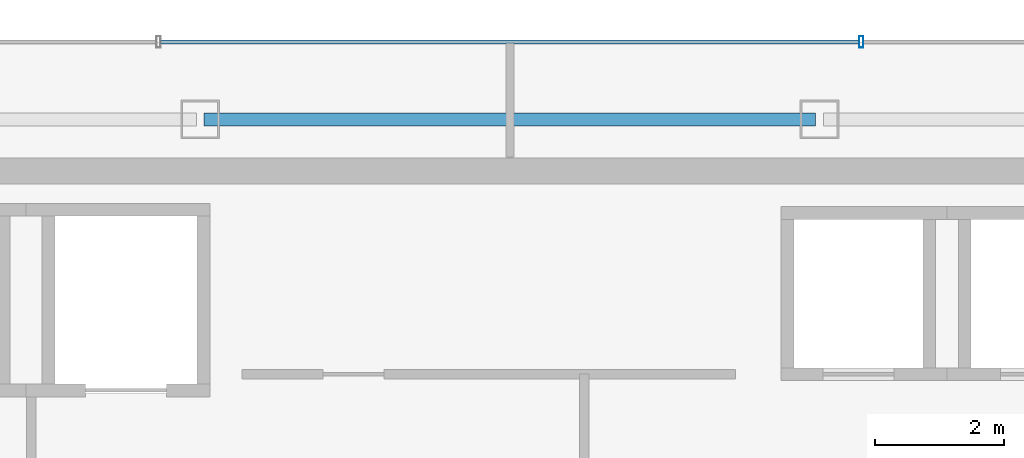
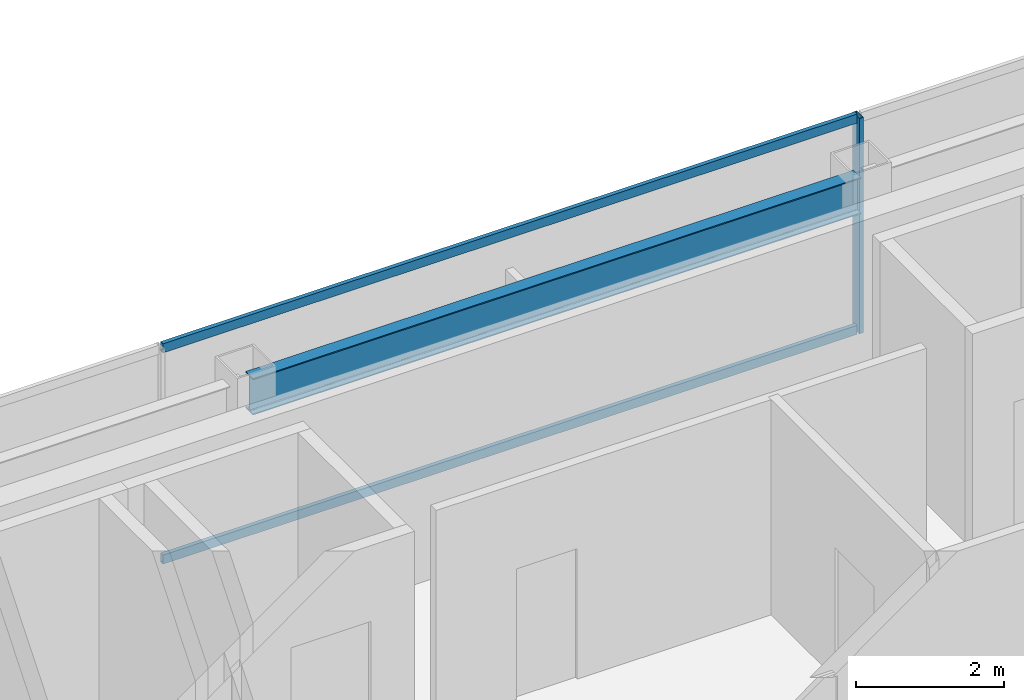
# One storey, part 22 of 32: 3 members, 1 beam, 1 element without a shape of its own.
"""IFC4 building model written with IfcOpenShell, lengths in metres."""

from ifc_helpers import new_model, si_unit, direction, frame, origin, origin_2d, place, context, subcontext, project, spatial, hollow_rectangle, i_section, extrude, material, material_profile, profile_set, type_object, element, aggregate, save


model = new_model("IFC4")

# Units and contexts
model_context = context("Model", 3, precision=1e-05, world=origin(), true_north=direction((0.0, 1.0)))
body_context = subcontext(model_context, "Body", "Model", "MODEL_VIEW")
ifc_project = project(units=[si_unit("LENGTHUNIT", "METRE"), si_unit("AREAUNIT", "SQUARE_METRE"), si_unit("VOLUMEUNIT", "CUBIC_METRE"), si_unit("PLANEANGLEUNIT", "RADIAN"), si_unit("MASSUNIT", "GRAM", prefix="KILO")], contexts=[model_context])

# Site, building, storey
site_placement = place(None, origin())
site = spatial("IfcSite", under=ifc_project, at=site_placement, CompositionType="ELEMENT")
building_placement = place(site_placement, origin())
building = spatial("IfcBuilding", under=site, at=building_placement, Name="Saevonmaru Cultural Tower", CompositionType="ELEMENT")
storey_placement = place(building_placement, frame((0.0, 0.0, 264.800048828125)))
storey = spatial("IfcBuildingStorey", under=building, at=storey_placement, Name="L62", CompositionType="ELEMENT", Elevation=264.800048828125)

# Beam
ifc_material_1 = material(Name="Steel SM355", Category="steel")
ifc_material_profile_1 = material_profile(ifc_material_1, i_section(OverallWidth=0.199951171875, OverallDepth=0.60009765625, WebThickness=0.010986328125, FlangeThickness=0.01708984375, FilletRadius=0.02197265625, at=origin_2d()), Name="H-600x200x11x17")
ifc_profile_set_1 = profile_set([ifc_material_profile_1], Name="Steel SM355")
beam_type = type_object("IfcBeamType", Name="BM-SP-H600", PredefinedType="SPANDREL", material=ifc_profile_set_1)
beam_placement = place(storey_placement, frame((25.260009765625, 54.800048828125, 3.25), z_axis=(1.0, 0.0, 0.0), x_axis=(0.0, 1.0, 0.0)))
element("IfcBeam", 1, at=beam_placement, inside=storey, type_object=beam_type, Name="L62 North Spine Girder 3", PredefinedType="SPANDREL", context=body_context, shape_type="SweptSolid", body=[
    extrude(i_section(OverallWidth=0.199951171875, OverallDepth=0.60009765625, WebThickness=0.010986328125, FlangeThickness=0.01708984375, FilletRadius=0.02197265625, at=origin_2d()), origin(), (0.0, 0.0, 1.0), 9.47998046875),
])

# Curtain wall, members
ifc_material_2 = material(Name="Satin Bronze Anodised Aluminium", Category="aluminium")
curtain_wall_type = type_object("IfcCurtainWallType", Name="CW-TYP-B", PredefinedType="NOTDEFINED", material=ifc_material_2)
curtain_wall_placement = place(storey_placement, origin())
curtain_wall = element("IfcCurtainWall", 2, at=curtain_wall_placement, inside=storey, type_object=curtain_wall_type, Name="L62 North Spine Unitised Curtain Wall E10B", PredefinedType="NOTDEFINED")
ifc_material_profile_2 = material_profile(ifc_material_2, hollow_rectangle(XDim=0.06494140625, YDim=0.179931640625, WallThickness=0.00390625, at=origin_2d()), Name="ALU-MULL-180x65x4")
ifc_profile_set_2 = profile_set([ifc_material_profile_2], Name="Satin Bronze Anodised Aluminium")
member_type_1 = type_object("IfcMemberType", Name="ML-CW-180x65", PredefinedType="MULLION", material=ifc_profile_set_2)
member_1_placement = place(storey_placement, frame((35.44677734375, 56.0, 0.0), z_axis=(0.0, 0.0, 1.0), x_axis=(-1.0, 0.0, 0.0)))
member_1 = element("IfcMember", 3, at=member_1_placement, type_object=member_type_1, Name="CW-TW-L62-E10B mullion 2", PredefinedType="MULLION", context=body_context, shape_type="SweptSolid", body=[
    extrude(hollow_rectangle(XDim=0.06494140625, YDim=0.179931640625, WallThickness=0.00390625, at=origin_2d()), origin(), (0.0, 0.0, 1.0), 3.550048828125),
])
ifc_material_profile_3 = material_profile(ifc_material_2, hollow_rectangle(XDim=0.06494140625, YDim=0.14990234375, WallThickness=0.00390625, at=origin_2d()), Name="ALU-TRAN-150x65x4")
ifc_profile_set_3 = profile_set([ifc_material_profile_3], Name="Satin Bronze Anodised Aluminium")
member_type_2 = type_object("IfcMemberType", Name="TR-CW-150x65", PredefinedType="USERDEFINED", material=ifc_profile_set_3)
member_2_placement = place(storey_placement, frame((35.4140625, 56.0, 0.032470703125), z_axis=(-1.0, 0.0, 0.0), x_axis=(0.0, -1.0, 0.0)))
member_2 = element("IfcMember", 4, at=member_2_placement, type_object=member_type_2, Name="CW-TW-L62-E10B transom 2.1", ObjectType="TRANSOM", PredefinedType="USERDEFINED", context=body_context, shape_type="SweptSolid", body=[
    extrude(hollow_rectangle(XDim=0.06494140625, YDim=0.14990234375, WallThickness=0.00390625, at=origin_2d()), origin(), (0.0, 0.0, 1.0), 10.828125),
])
member_3_placement = place(storey_placement, frame((35.4140625, 56.0, 3.517333984375), z_axis=(-1.0, 0.0, 0.0), x_axis=(0.0, -1.0, 0.0)))
member_3 = element("IfcMember", 5, at=member_3_placement, type_object=member_type_2, Name="CW-TW-L62-E10B transom 2.2", ObjectType="TRANSOM", PredefinedType="USERDEFINED", context=body_context, shape_type="SweptSolid", body=[
    extrude(hollow_rectangle(XDim=0.06494140625, YDim=0.14990234375, WallThickness=0.00390625, at=origin_2d()), origin(), (0.0, 0.0, 1.0), 10.828125),
])
aggregate(curtain_wall, [member_1, member_2, member_3])

save(model, "model.ifc")
